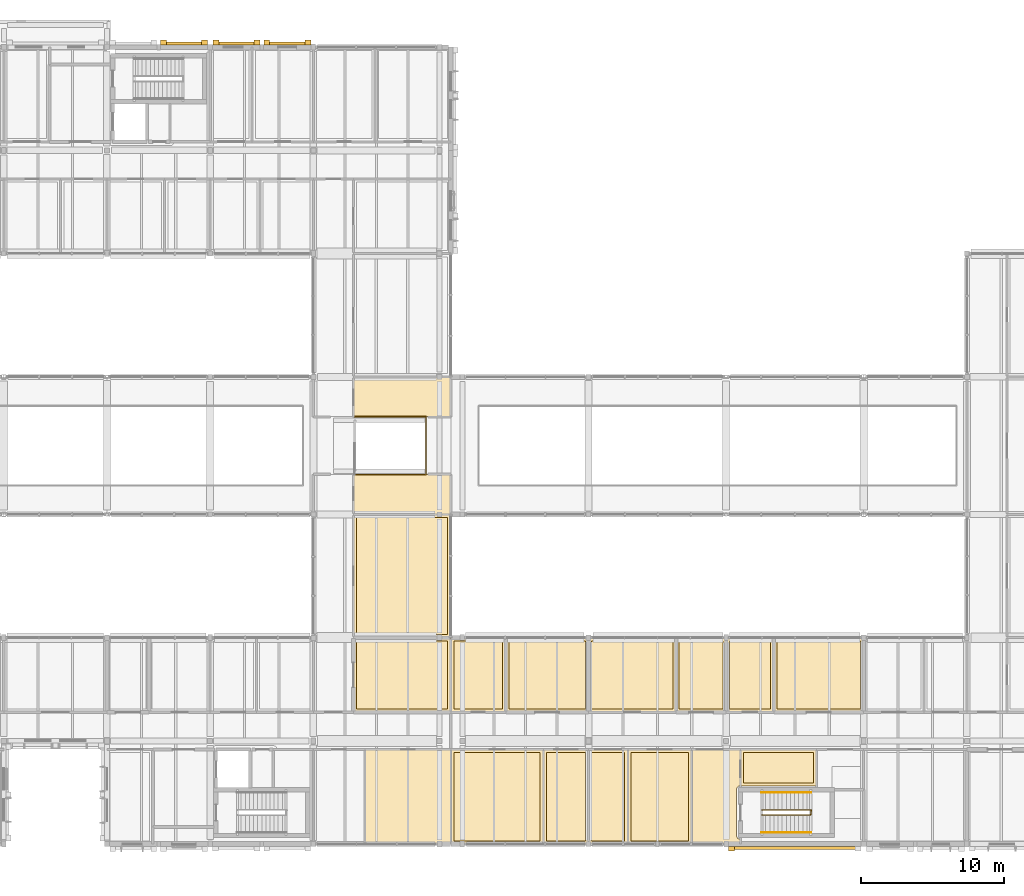
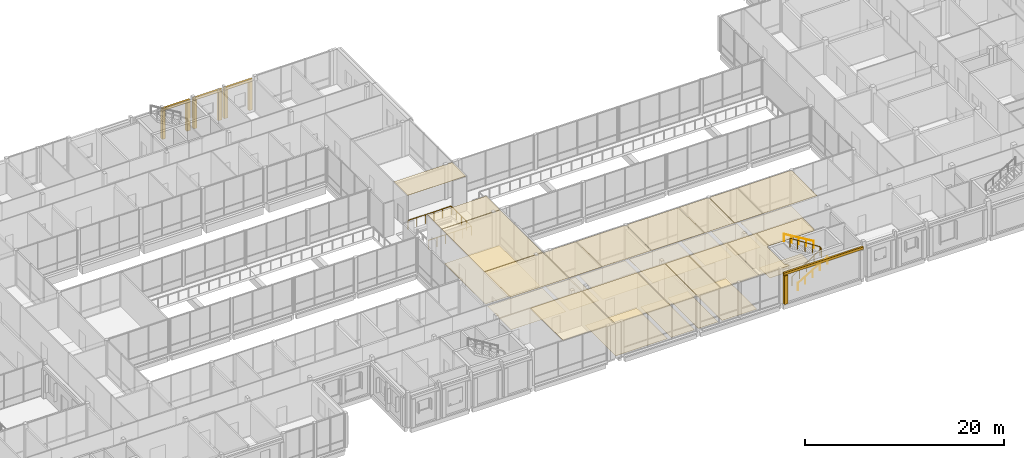
# One storey, part 137 of 146: 41 coverings, 4 railings.
"""IFC4 building model written with IfcOpenShell, lengths in metres."""

from ifc_helpers import new_model, si_unit, direction, frame, origin, origin_2d, place, context, subcontext, project, spatial, polyline, rectangle, circle, outline, extrude, material, layer, layer_set, type_object, element, save


model = new_model("IFC4")

# Units and contexts
model_context = context("Model", 3, precision=1e-05, world=origin(), true_north=direction((0.0, 1.0)))
body_context = subcontext(model_context, "Body", "Model", "MODEL_VIEW")
ifc_project = project(units=[si_unit("LENGTHUNIT", "METRE"), si_unit("AREAUNIT", "SQUARE_METRE"), si_unit("VOLUMEUNIT", "CUBIC_METRE"), si_unit("PLANEANGLEUNIT", "RADIAN"), si_unit("MASSUNIT", "GRAM", prefix="KILO")], contexts=[model_context])

# Site, building, storey
site_placement = place(None, origin())
site = spatial("IfcSite", under=ifc_project, at=site_placement, CompositionType="ELEMENT")
building_placement = place(site_placement, origin())
building = spatial("IfcBuilding", under=site, at=building_placement, Name="Hawrajan Terrace Health Centre", CompositionType="ELEMENT")
storey_placement = place(building_placement, frame((0.0, 0.0, 4.5)))
storey = spatial("IfcBuildingStorey", under=building, at=storey_placement, Name="L01", CompositionType="ELEMENT", Elevation=4.5)

# Coverings
ifc_material_1 = material(Name="Precast concrete C40/50", Category="concrete")
ifc_layer_1 = layer(ifc_material_1, 0.219970703125)
ifc_layer_set_1 = layer_set([ifc_layer_1], Name="Precast concrete C40/50")
covering_type_1 = type_object("IfcCoveringType", Name="ArtDecoCorniceBand", PredefinedType="CLADDING", material=ifc_layer_set_1)
for number, where, z_axis, x_axis, name in (
    (1, (53.169921875, 60.06005859375, 3.48974609375), (0.0, 0.0, 1.0), (1.0, 0.0, 0.0), "Art Deco limestone cornice band CRN-L01-0073"),
    (2, (56.830078125, 60.070068359375, 3.48974609375), (0.0, 0.0, 1.0), (1.0, 0.0, 0.0), "Art Deco limestone cornice band CRN-L01-0076"),
):
    element("IfcCovering", number, at=place(storey_placement, frame(where, z_axis=z_axis, x_axis=x_axis)), inside=storey, type_object=covering_type_1, Name=name, PredefinedType="CLADDING", context=body_context, shape_type="SweptSolid", body=[
        extrude(rectangle(XDim=3.260009765625, YDim=0.219970703125, at=origin_2d()), origin(), (0.0, 0.0, 1.0), 0.300048828125),
    ])
covering_1_placement = place(storey_placement, frame((60.3798828125, 60.070068359375, 3.48974609375), z_axis=(0.0, 0.0, 1.0), x_axis=(1.0, 0.0, 0.0)))
element("IfcCovering", 3, at=covering_1_placement, inside=storey, type_object=covering_type_1, Name="Art Deco limestone cornice band CRN-L01-0077", PredefinedType="CLADDING", context=body_context, shape_type="SweptSolid", body=[
    extrude(rectangle(XDim=3.280029296875, YDim=0.219970703125, at=origin_2d()), origin(), (0.0, 0.0, 1.0), 0.300048828125),
])
covering_2_placement = place(storey_placement, frame((95.7900390625, 3.93994140625, 3.48974609375), z_axis=(0.0, 0.0, 1.0), x_axis=(1.0, 0.0, 0.0)))
element("IfcCovering", 4, at=covering_2_placement, inside=storey, type_object=covering_type_1, Name="Art Deco limestone cornice band CRN-L01-0080", PredefinedType="CLADDING", context=body_context, shape_type="SweptSolid", body=[
    extrude(rectangle(XDim=9.219970703125, YDim=0.219970703125, at=origin_2d()), origin(), (0.0, 0.0, 1.0), 0.300048828125),
])
ifc_layer_2 = layer(ifc_material_1, 0.340087890625)
ifc_layer_set_2 = layer_set([ifc_layer_2], Name="Precast concrete C40/50")
covering_type_2 = type_object("IfcCoveringType", Name="ArtDecoStonePilaster", PredefinedType="CLADDING", material=ifc_layer_set_2)
for number, where, z_axis, x_axis, name in (
    (5, (51.739990234375, 60.1201171875, 0.0), (0.0, 0.0, 1.0), (1.0, 0.0, 0.0), "Art Deco fluted limestone pilaster FPIL-L01-0122"),
    (6, (54.60009765625, 60.1201171875, 0.0), (0.0, 0.0, 1.0), (1.0, 0.0, 0.0), "Art Deco fluted limestone pilaster FPIL-L01-0123"),
    (7, (55.39990234375, 60.1298828125, 0.0), (0.0, 0.0, 1.0), (1.0, 0.0, 0.0), "Art Deco fluted limestone pilaster FPIL-L01-0128"),
    (8, (58.260009765625, 60.1298828125, 0.0), (0.0, 0.0, 1.0), (1.0, 0.0, 0.0), "Art Deco fluted limestone pilaster FPIL-L01-0129"),
    (9, (58.93994140625, 60.1298828125, 0.0), (0.0, 0.0, 1.0), (1.0, 0.0, 0.0), "Art Deco fluted limestone pilaster FPIL-L01-0130"),
    (10, (61.820068359375, 60.1298828125, 0.0), (0.0, 0.0, 1.0), (1.0, 0.0, 0.0), "Art Deco fluted limestone pilaster FPIL-L01-0131"),
    (11, (91.3798828125, 3.8798828125, 0.0), (0.0, 0.0, 1.0), (1.0, 0.0, 0.0), "Art Deco fluted limestone pilaster FPIL-L01-0138"),
):
    element("IfcCovering", number, at=place(storey_placement, frame(where, z_axis=z_axis, x_axis=x_axis)), inside=storey, type_object=covering_type_2, Name=name, PredefinedType="CLADDING", context=body_context, shape_type="SweptSolid", body=[
        extrude(rectangle(XDim=0.39990234375, YDim=0.340087890625, at=origin_2d()), origin(), (0.0, 0.0, 1.0), 3.47998046875),
    ])
ifc_material_2 = material(Name="Acoustic linear cedar-slat suspended ceiling")
ifc_layer_3 = layer(ifc_material_2, 0.034912109375)
ifc_layer_set_3 = layer_set([ifc_layer_3], Name="Acoustic linear cedar-slat suspended ceiling")
covering_type_3 = type_object("IfcCoveringType", Name="CedarSlatHallCeiling_35", PredefinedType="CEILING", material=ifc_layer_set_3)
covering_3_placement = place(storey_placement, frame((0.0, 0.0, 4.14501953125)))
element("IfcCovering", 12, at=covering_3_placement, inside=storey, type_object=covering_type_3, Name="Suspended ceiling L01-069", PredefinedType="CEILING", context=body_context, shape_type="SweptSolid", body=[
    extrude(outline(polyline([(65.02001953125, 27.179931640625), (71.77490234375, 27.179931640625), (71.77490234375, 18.6201171875), (65.02001953125, 18.6201171875), (65.02001953125, 27.179931640625)])), origin(), (0.0, 0.0, 1.0), 0.034912109375),
])
covering_4_placement = place(storey_placement, frame((0.0, 0.0, 4.14501953125)))
element("IfcCovering", 13, at=covering_4_placement, inside=storey, type_object=covering_type_3, Name="Suspended ceiling L01-070", PredefinedType="CEILING", context=body_context, shape_type="SweptSolid", body=[
    extrude(outline(polyline([(65.02001953125, 29.97998046875), (71.77490234375, 29.97998046875), (71.77490234375, 27.219970703125), (65.02001953125, 27.219970703125), (65.02001953125, 29.97998046875)])), origin(), (0.0, 0.0, 1.0), 0.034912109375),
])
covering_5_placement = place(storey_placement, frame((0.0, 0.0, 4.14501953125)))
element("IfcCovering", 14, at=covering_5_placement, inside=storey, type_object=covering_type_3, Name="Suspended ceiling L01-071", PredefinedType="CEILING", context=body_context, shape_type="SweptSolid", body=[
    extrude(outline(polyline([(65.02001953125, 36.780029296875), (71.77490234375, 36.780029296875), (71.77490234375, 34.02001953125), (65.02001953125, 34.02001953125), (65.02001953125, 36.780029296875)])), origin(), (0.0, 0.0, 1.0), 0.034912109375),
])
ifc_material_3 = material(Name="Hygienic mineral-fibre acoustic tile ceiling")
ifc_layer_4 = layer(ifc_material_3, 0.02490234375)
ifc_layer_set_4 = layer_set([ifc_layer_4], Name="Hygienic mineral-fibre acoustic tile ceiling")
covering_type_4 = type_object("IfcCoveringType", Name="ClinicalAcousticCeiling_25", PredefinedType="CEILING", material=ifc_layer_set_4)
covering_6_placement = place(storey_placement, frame((0.0, 0.0, 4.155029296875)))
element("IfcCovering", 15, at=covering_6_placement, inside=storey, type_object=covering_type_4, Name="Suspended ceiling L01-031", PredefinedType="CEILING", context=body_context, shape_type="SweptSolid", body=[
    extrude(outline(polyline([(91.97998046875, 4.219970703125), (88.6201171875, 4.219970703125), (88.6201171875, 10.780029296875), (91.97998046875, 10.780029296875), (91.97998046875, 8.26904296875), (91.974609375, 8.268798828125), (91.97265625, 8.2685546875), (91.9482421875, 8.264892578125), (91.9462890625, 8.2646484375), (91.922607421875, 8.258544921875), (91.920654296875, 8.258056640625), (91.897705078125, 8.249755859375), (91.895751953125, 8.2490234375), (91.87353515625, 8.238525390625), (91.871826171875, 8.237548828125), (91.850830078125, 8.22509765625), (91.84912109375, 8.223876953125), (91.82958984375, 8.209228515625), (91.827880859375, 8.2080078125), (91.809814453125, 8.191650390625), (91.808349609375, 8.190185546875), (91.7919921875, 8.172119140625), (91.790771484375, 8.17041015625), (91.776123046875, 8.15087890625), (91.77490234375, 8.149169921875), (91.762451171875, 8.128173828125), (91.761474609375, 8.12646484375), (91.7509765625, 8.104248046875), (91.750244140625, 8.102294921875), (91.741943359375, 8.079345703125), (91.741455078125, 8.077392578125), (91.7353515625, 8.0537109375), (91.735107421875, 8.0517578125), (91.7314453125, 8.02734375), (91.731201171875, 8.025390625), (91.72998046875, 8.0009765625), (91.72998046875, 8.0), (91.72998046875, 4.800048828125), (91.72998046875, 4.799072265625), (91.731201171875, 4.7744140625), (91.7314453125, 4.772705078125), (91.735107421875, 4.748291015625), (91.7353515625, 4.746337890625), (91.741455078125, 4.72265625), (91.741943359375, 4.720703125), (91.750244140625, 4.697509765625), (91.7509765625, 4.69580078125), (91.761474609375, 4.673583984375), (91.762451171875, 4.671875), (91.77490234375, 4.65087890625), (91.776123046875, 4.649169921875), (91.790771484375, 4.62939453125), (91.7919921875, 4.6279296875), (91.808349609375, 4.60986328125), (91.809814453125, 4.6083984375), (91.827880859375, 4.591796875), (91.82958984375, 4.5908203125), (91.84912109375, 4.576171875), (91.850830078125, 4.574951171875), (91.871826171875, 4.5625), (91.87353515625, 4.561279296875), (91.895751953125, 4.551025390625), (91.897705078125, 4.55029296875), (91.920654296875, 4.5419921875), (91.922607421875, 4.54150390625), (91.9462890625, 4.535400390625), (91.9482421875, 4.534912109375), (91.97265625, 4.531494140625), (91.974609375, 4.53125), (91.97998046875, 4.531005859375), (91.97998046875, 4.219970703125)])), origin(), (0.0, 0.0, 1.0), 0.02490234375),
])
covering_7_placement = place(storey_placement, frame((0.0, 0.0, 4.155029296875)))
element("IfcCovering", 16, at=covering_7_placement, inside=storey, type_object=covering_type_4, Name="Suspended ceiling L01-063", PredefinedType="CEILING", context=body_context, shape_type="SweptSolid", body=[
    extrude(outline(polyline([(65.820068359375, 10.780029296875), (71.77490234375, 10.780029296875), (71.77490234375, 4.219970703125), (65.820068359375, 4.219970703125), (65.820068359375, 10.780029296875)])), origin(), (0.0, 0.0, 1.0), 0.02490234375),
])
covering_8_placement = place(storey_placement, frame((0.0, 0.0, 4.155029296875)))
element("IfcCovering", 17, at=covering_8_placement, inside=storey, type_object=covering_type_4, Name="Suspended ceiling L01-110", PredefinedType="CEILING", context=body_context, shape_type="SweptSolid", body=[
    extrude(outline(polyline([(65.02001953125, 18.580078125), (71.77490234375, 18.580078125), (71.77490234375, 13.419921875), (65.02001953125, 13.419921875), (65.02001953125, 18.580078125)])), origin(), (0.0, 0.0, 1.0), 0.02490234375),
])
covering_9_placement = place(storey_placement, frame((0.0, 0.0, 4.155029296875)))
element("IfcCovering", 18, at=covering_9_placement, inside=storey, type_object=covering_type_4, Name="Suspended ceiling L01-111", PredefinedType="CEILING", context=body_context, shape_type="SweptSolid", body=[
    extrude(outline(polyline([(71.824951171875, 10.780029296875), (78.22314453125, 10.780029296875), (78.22314453125, 4.219970703125), (71.824951171875, 4.219970703125), (71.824951171875, 10.780029296875)])), origin(), (0.0, 0.0, 1.0), 0.02490234375),
])
covering_10_placement = place(storey_placement, frame((0.0, 0.0, 4.155029296875)))
element("IfcCovering", 19, at=covering_10_placement, inside=storey, type_object=covering_type_4, Name="Suspended ceiling L01-112", PredefinedType="CEILING", context=body_context, shape_type="SweptSolid", body=[
    extrude(outline(polyline([(78.26318359375, 10.780029296875), (81.3798828125, 10.780029296875), (81.3798828125, 4.219970703125), (78.26318359375, 4.219970703125), (78.26318359375, 10.780029296875)])), origin(), (0.0, 0.0, 1.0), 0.02490234375),
])
covering_11_placement = place(storey_placement, frame((0.0, 0.0, 4.155029296875)))
element("IfcCovering", 20, at=covering_11_placement, inside=storey, type_object=covering_type_4, Name="Suspended ceiling L01-113", PredefinedType="CEILING", context=body_context, shape_type="SweptSolid", body=[
    extrude(outline(polyline([(71.824951171875, 18.580078125), (75.603759765625, 18.580078125), (75.603759765625, 13.419921875), (71.824951171875, 13.419921875), (71.824951171875, 18.580078125)])), origin(), (0.0, 0.0, 1.0), 0.02490234375),
])
covering_12_placement = place(storey_placement, frame((0.0, 0.0, 4.155029296875)))
element("IfcCovering", 21, at=covering_12_placement, inside=storey, type_object=covering_type_4, Name="Suspended ceiling L01-114", PredefinedType="CEILING", context=body_context, shape_type="SweptSolid", body=[
    extrude(outline(polyline([(75.643798828125, 18.580078125), (81.3798828125, 18.580078125), (81.3798828125, 13.419921875), (75.643798828125, 13.419921875), (75.643798828125, 18.580078125)])), origin(), (0.0, 0.0, 1.0), 0.02490234375),
])
covering_13_placement = place(storey_placement, frame((0.0, 0.0, 4.155029296875)))
element("IfcCovering", 22, at=covering_13_placement, inside=storey, type_object=covering_type_4, Name="Suspended ceiling L01-115", PredefinedType="CEILING", context=body_context, shape_type="SweptSolid", body=[
    extrude(outline(polyline([(81.419921875, 10.780029296875), (84.123291015625, 10.780029296875), (84.123291015625, 4.219970703125), (81.419921875, 4.219970703125), (81.419921875, 10.780029296875)])), origin(), (0.0, 0.0, 1.0), 0.02490234375),
])
covering_14_placement = place(storey_placement, frame((0.0, 0.0, 4.155029296875)))
element("IfcCovering", 23, at=covering_14_placement, inside=storey, type_object=covering_type_4, Name="Suspended ceiling L01-116", PredefinedType="CEILING", context=body_context, shape_type="SweptSolid", body=[
    extrude(outline(polyline([(84.1630859375, 10.780029296875), (88.580078125, 10.780029296875), (88.580078125, 4.219970703125), (84.1630859375, 4.219970703125), (84.1630859375, 10.780029296875)])), origin(), (0.0, 0.0, 1.0), 0.02490234375),
])
covering_15_placement = place(storey_placement, frame((0.0, 0.0, 4.155029296875)))
element("IfcCovering", 24, at=covering_15_placement, inside=storey, type_object=covering_type_4, Name="Suspended ceiling L01-117", PredefinedType="CEILING", context=body_context, shape_type="SweptSolid", body=[
    extrude(outline(polyline([(81.419921875, 18.580078125), (87.485595703125, 18.580078125), (87.485595703125, 13.419921875), (81.419921875, 13.419921875), (81.419921875, 18.580078125)])), origin(), (0.0, 0.0, 1.0), 0.02490234375),
])
covering_16_placement = place(storey_placement, frame((0.0, 0.0, 4.155029296875)))
element("IfcCovering", 25, at=covering_16_placement, inside=storey, type_object=covering_type_4, Name="Suspended ceiling L01-118", PredefinedType="CEILING", context=body_context, shape_type="SweptSolid", body=[
    extrude(outline(polyline([(87.525634765625, 18.580078125), (90.97998046875, 18.580078125), (90.97998046875, 13.419921875), (87.525634765625, 13.419921875), (87.525634765625, 18.580078125)])), origin(), (0.0, 0.0, 1.0), 0.02490234375),
])
covering_17_placement = place(storey_placement, frame((0.0, 0.0, 4.155029296875)))
element("IfcCovering", 26, at=covering_17_placement, inside=storey, type_object=covering_type_4, Name="Suspended ceiling L01-119", PredefinedType="CEILING", context=body_context, shape_type="SweptSolid", body=[
    extrude(outline(polyline([(92.02001953125, 10.780029296875), (97.303466796875, 10.780029296875), (97.303466796875, 8.27001953125), (92.02001953125, 8.27001953125), (92.02001953125, 10.780029296875)])), origin(), (0.0, 0.0, 1.0), 0.02490234375),
])
covering_18_placement = place(storey_placement, frame((0.0, 0.0, 4.155029296875)))
element("IfcCovering", 27, at=covering_18_placement, inside=storey, type_object=covering_type_4, Name="Suspended ceiling L01-121", PredefinedType="CEILING", context=body_context, shape_type="SweptSolid", body=[
    extrude(outline(polyline([(91.02001953125, 18.580078125), (94.311279296875, 18.580078125), (94.311279296875, 13.419921875), (91.02001953125, 13.419921875), (91.02001953125, 18.580078125)])), origin(), (0.0, 0.0, 1.0), 0.02490234375),
])
covering_19_placement = place(storey_placement, frame((0.0, 0.0, 4.155029296875)))
element("IfcCovering", 28, at=covering_19_placement, inside=storey, type_object=covering_type_4, Name="Suspended ceiling L01-122", PredefinedType="CEILING", context=body_context, shape_type="SweptSolid", body=[
    extrude(outline(polyline([(94.351318359375, 18.580078125), (100.580078125, 18.580078125), (100.580078125, 13.419921875), (94.351318359375, 13.419921875), (94.351318359375, 18.580078125)])), origin(), (0.0, 0.0, 1.0), 0.02490234375),
])
ifc_material_4 = material(Name="Seamless medical-grade cushioned vinyl flooring")
ifc_layer_5 = layer(ifc_material_4, 0.011962890625)
ifc_layer_set_5 = layer_set([ifc_layer_5], Name="Seamless medical-grade cushioned vinyl flooring")
covering_type_5 = type_object("IfcCoveringType", Name="ClinicalVinylFlooring_12", PredefinedType="FLOORING", material=ifc_layer_set_5)
covering_20_placement = place(storey_placement, origin())
element("IfcCovering", 29, at=covering_20_placement, inside=storey, type_object=covering_type_5, Name="Floor finish L01-110", PredefinedType="FLOORING", context=body_context, shape_type="SweptSolid", body=[
    extrude(outline(polyline([(65.219970703125, 18.3798828125), (71.574951171875, 18.3798828125), (71.574951171875, 13.6201171875), (65.219970703125, 13.6201171875), (65.219970703125, 18.3798828125)])), origin(), (0.0, 0.0, 1.0), 0.011962890625),
])
covering_21_placement = place(storey_placement, origin())
element("IfcCovering", 30, at=covering_21_placement, inside=storey, type_object=covering_type_5, Name="Floor finish L01-111", PredefinedType="FLOORING", context=body_context, shape_type="SweptSolid", body=[
    extrude(outline(polyline([(72.02490234375, 10.580078125), (78.023193359375, 10.580078125), (78.023193359375, 4.419921875), (72.02490234375, 4.419921875), (72.02490234375, 10.580078125)])), origin(), (0.0, 0.0, 1.0), 0.011962890625),
])
covering_22_placement = place(storey_placement, origin())
element("IfcCovering", 31, at=covering_22_placement, inside=storey, type_object=covering_type_5, Name="Floor finish L01-112", PredefinedType="FLOORING", context=body_context, shape_type="SweptSolid", body=[
    extrude(outline(polyline([(78.463134765625, 10.580078125), (81.179931640625, 10.580078125), (81.179931640625, 4.419921875), (78.463134765625, 4.419921875), (78.463134765625, 10.580078125)])), origin(), (0.0, 0.0, 1.0), 0.011962890625),
])
covering_23_placement = place(storey_placement, origin())
element("IfcCovering", 32, at=covering_23_placement, inside=storey, type_object=covering_type_5, Name="Floor finish L01-113", PredefinedType="FLOORING", context=body_context, shape_type="SweptSolid", body=[
    extrude(outline(polyline([(72.02490234375, 18.3798828125), (75.40380859375, 18.3798828125), (75.40380859375, 13.6201171875), (72.02490234375, 13.6201171875), (72.02490234375, 18.3798828125)])), origin(), (0.0, 0.0, 1.0), 0.011962890625),
])
covering_24_placement = place(storey_placement, origin())
element("IfcCovering", 33, at=covering_24_placement, inside=storey, type_object=covering_type_5, Name="Floor finish L01-114", PredefinedType="FLOORING", context=body_context, shape_type="SweptSolid", body=[
    extrude(outline(polyline([(75.84375, 18.3798828125), (81.179931640625, 18.3798828125), (81.179931640625, 13.6201171875), (75.84375, 13.6201171875), (75.84375, 18.3798828125)])), origin(), (0.0, 0.0, 1.0), 0.011962890625),
])
covering_25_placement = place(storey_placement, origin())
element("IfcCovering", 34, at=covering_25_placement, inside=storey, type_object=covering_type_5, Name="Floor finish L01-115", PredefinedType="FLOORING", context=body_context, shape_type="SweptSolid", body=[
    extrude(outline(polyline([(81.6201171875, 10.580078125), (83.923095703125, 10.580078125), (83.923095703125, 4.419921875), (81.6201171875, 4.419921875), (81.6201171875, 10.580078125)])), origin(), (0.0, 0.0, 1.0), 0.011962890625),
])
covering_26_placement = place(storey_placement, origin())
element("IfcCovering", 35, at=covering_26_placement, inside=storey, type_object=covering_type_5, Name="Floor finish L01-116", PredefinedType="FLOORING", context=body_context, shape_type="SweptSolid", body=[
    extrude(outline(polyline([(84.36328125, 10.580078125), (88.3798828125, 10.580078125), (88.3798828125, 4.419921875), (84.36328125, 4.419921875), (84.36328125, 10.580078125)])), origin(), (0.0, 0.0, 1.0), 0.011962890625),
])
covering_27_placement = place(storey_placement, origin())
element("IfcCovering", 36, at=covering_27_placement, inside=storey, type_object=covering_type_5, Name="Floor finish L01-117", PredefinedType="FLOORING", context=body_context, shape_type="SweptSolid", body=[
    extrude(outline(polyline([(81.6201171875, 18.3798828125), (87.28564453125, 18.3798828125), (87.28564453125, 13.6201171875), (81.6201171875, 13.6201171875), (81.6201171875, 18.3798828125)])), origin(), (0.0, 0.0, 1.0), 0.011962890625),
])
covering_28_placement = place(storey_placement, origin())
element("IfcCovering", 37, at=covering_28_placement, inside=storey, type_object=covering_type_5, Name="Floor finish L01-118", PredefinedType="FLOORING", context=body_context, shape_type="SweptSolid", body=[
    extrude(outline(polyline([(87.7255859375, 18.3798828125), (90.780029296875, 18.3798828125), (90.780029296875, 13.6201171875), (87.7255859375, 13.6201171875), (87.7255859375, 18.3798828125)])), origin(), (0.0, 0.0, 1.0), 0.011962890625),
])
covering_29_placement = place(storey_placement, origin())
element("IfcCovering", 38, at=covering_29_placement, inside=storey, type_object=covering_type_5, Name="Floor finish L01-119", PredefinedType="FLOORING", context=body_context, shape_type="SweptSolid", body=[
    extrude(outline(polyline([(92.219970703125, 10.580078125), (97.103515625, 10.580078125), (97.103515625, 8.469970703125), (92.219970703125, 8.469970703125), (92.219970703125, 10.580078125)])), origin(), (0.0, 0.0, 1.0), 0.011962890625),
])
covering_30_placement = place(storey_placement, origin())
element("IfcCovering", 39, at=covering_30_placement, inside=storey, type_object=covering_type_5, Name="Floor finish L01-121", PredefinedType="FLOORING", context=body_context, shape_type="SweptSolid", body=[
    extrude(outline(polyline([(91.219970703125, 18.3798828125), (94.111083984375, 18.3798828125), (94.111083984375, 13.6201171875), (91.219970703125, 13.6201171875), (91.219970703125, 18.3798828125)])), origin(), (0.0, 0.0, 1.0), 0.011962890625),
])
covering_31_placement = place(storey_placement, origin())
element("IfcCovering", 40, at=covering_31_placement, inside=storey, type_object=covering_type_5, Name="Floor finish L01-122", PredefinedType="FLOORING", context=body_context, shape_type="SweptSolid", body=[
    extrude(outline(polyline([(94.55126953125, 18.3798828125), (100.3798828125, 18.3798828125), (100.3798828125, 13.6201171875), (94.55126953125, 13.6201171875), (94.55126953125, 18.3798828125)])), origin(), (0.0, 0.0, 1.0), 0.011962890625),
])

# Railings
ifc_material_5 = material(Name="Brushed stainless steel tubular handrail", Category="steel")
railing_type_1 = type_object("IfcRailingType", Name="StairHandrail_900", PredefinedType="HANDRAIL", material=ifc_material_5)
railing_1_placement = place(storey_placement, frame((93.47509765625, 5.0, 0.173095703125)))
element("IfcRailing", 41, at=railing_1_placement, inside=storey, type_object=railing_type_1, Name="Stair handrail ST-5-L01-H1", PredefinedType="HANDRAIL", context=body_context, shape_type="SweptSolid", body=[
    extrude(circle(Radius=0.02392578125, at=origin_2d()), frame((0.024658203125, 0.0, 0.890625), z_axis=(0.856732359591, 0.0, 0.515761247119), x_axis=(0.0, 1.0, 0.0)), (0.0, 0.0, 1.0), 3.96923828125),
    extrude(circle(Radius=0.02099609375, at=origin_2d()), origin(), (0.0, 0.0, 1.0), 0.846923828125),
    extrude(circle(Radius=0.02099609375, at=origin_2d()), frame((0.862548828125, 0.0, 0.519287109375)), (0.0, 0.0, 1.0), 0.846923828125),
    extrude(circle(Radius=0.02099609375, at=origin_2d()), frame((1.72509765625, 0.0, 1.03857421875)), (0.0, 0.0, 1.0), 0.846923828125),
    extrude(circle(Radius=0.02099609375, at=origin_2d()), frame((2.58740234375, 0.0, 1.5576171875)), (0.0, 0.0, 1.0), 0.846923828125),
    extrude(circle(Radius=0.02099609375, at=origin_2d()), frame((3.449951171875, 0.0, 2.076904296875)), (0.0, 0.0, 1.0), 0.846923828125),
])
railing_2_placement = place(storey_placement, frame((96.925048828125, 7.800048828125, 2.423095703125)))
element("IfcRailing", 42, at=railing_2_placement, inside=storey, type_object=railing_type_1, Name="Stair handrail ST-5-L01-H2", PredefinedType="HANDRAIL", context=body_context, shape_type="SweptSolid", body=[
    extrude(circle(Radius=0.02392578125, at=origin_2d()), frame((-0.024658203125, 0.0, 0.890625), z_axis=(-0.856732359591, 0.0, 0.515761247119), x_axis=(0.0, -1.0, 0.0)), (0.0, 0.0, 1.0), 3.96923828125),
    extrude(circle(Radius=0.02099609375, at=origin_2d()), origin(), (0.0, 0.0, 1.0), 0.846923828125),
    extrude(circle(Radius=0.02099609375, at=origin_2d()), frame((-0.862548828125, 0.0, 0.519287109375)), (0.0, 0.0, 1.0), 0.846923828125),
    extrude(circle(Radius=0.02099609375, at=origin_2d()), frame((-1.72509765625, 0.0, 1.03857421875)), (0.0, 0.0, 1.0), 0.846923828125),
    extrude(circle(Radius=0.02099609375, at=origin_2d()), frame((-2.58740234375, 0.0, 1.5576171875)), (0.0, 0.0, 1.0), 0.846923828125),
    extrude(circle(Radius=0.02099609375, at=origin_2d()), frame((-3.449951171875, 0.0, 2.076904296875)), (0.0, 0.0, 1.0), 0.846923828125),
])
ifc_material_6 = material(Name="Painted steel stair well guard", Category="steel")
railing_type_2 = type_object("IfcRailingType", Name="StairWellGuard_1120", PredefinedType="GUARDRAIL", material=ifc_material_6)
railing_3_placement = place(storey_placement, frame((93.5, 6.219970703125, 0.0)))
element("IfcRailing", 43, at=railing_3_placement, inside=storey, type_object=railing_type_2, Name="Stair well guard ST-5-L01-G1", PredefinedType="GUARDRAIL", context=body_context, shape_type="SweptSolid", body=[
    extrude(circle(Radius=0.02392578125, at=origin_2d()), frame((0.024169921875, 0.0, 1.112060546875), z_axis=(0.833924910587, 0.0, 0.551877924456), x_axis=(0.0, 1.0, 0.0)), (0.0, 0.0, 1.0), 4.019287109375),
    extrude(circle(Radius=0.02392578125, at=origin_2d()), frame((3.40380859375, 0.028564453125, 3.34619140625), z_axis=(0.137659871128, 0.990479560557, 0.0), x_axis=(-0.990479560557, 0.137659871128, 0.0)), (0.0, 0.0, 1.0), 0.305908203125),
    extrude(circle(Radius=0.02392578125, at=origin_2d()), frame((3.42578125, 0.360107421875, 3.36181640625), z_axis=(-0.837607059222, 0.0, 0.546273204854), x_axis=(0.0, -1.0, 0.0)), (0.0, 0.0, 1.0), 4.06103515625),
    extrude(circle(Radius=0.02099609375, at=origin_2d()), origin(), (0.0, 0.0, 1.0), 1.067138671875),
    extrude(circle(Radius=0.02099609375, at=origin_2d()), frame((0.85009765625, 0.0, 0.5625)), (0.0, 0.0, 1.0), 1.067138671875),
    extrude(circle(Radius=0.02099609375, at=origin_2d()), frame((1.699951171875, 0.0, 1.125)), (0.0, 0.0, 1.0), 1.067138671875),
    extrude(circle(Radius=0.02099609375, at=origin_2d()), frame((2.5498046875, 0.0, 1.6875)), (0.0, 0.0, 1.0), 1.067138671875),
    extrude(circle(Radius=0.02099609375, at=origin_2d()), frame((3.39990234375, 0.0, 2.25)), (0.0, 0.0, 1.0), 1.067138671875),
    extrude(circle(Radius=0.02099609375, at=origin_2d()), frame((3.449951171875, 0.360107421875, 2.25)), (0.0, 0.0, 1.0), 1.067138671875),
    extrude(circle(Radius=0.02099609375, at=origin_2d()), frame((2.58740234375, 0.360107421875, 2.8125)), (0.0, 0.0, 1.0), 1.067138671875),
    extrude(circle(Radius=0.02099609375, at=origin_2d()), frame((1.72509765625, 0.360107421875, 3.375)), (0.0, 0.0, 1.0), 1.067138671875),
    extrude(circle(Radius=0.02099609375, at=origin_2d()), frame((0.862548828125, 0.360107421875, 3.9375)), (0.0, 0.0, 1.0), 1.067138671875),
    extrude(circle(Radius=0.02099609375, at=origin_2d()), frame((0.0, 0.360107421875, 4.5)), (0.0, 0.0, 1.0), 1.067138671875),
])
railing_4_placement = place(storey_placement, frame((65.06005859375, 29.97998046875, 0.0)))
element("IfcRailing", 44, at=railing_4_placement, inside=storey, type_object=railing_type_2, Name="Stair top well guard ST-10", PredefinedType="GUARDRAIL", context=body_context, shape_type="SweptSolid", body=[
    extrude(circle(Radius=0.02392578125, at=origin_2d()), frame((0.02880859375, 0.0, 1.09619140625), z_axis=(1.0, 0.0, 0.0), x_axis=(0.0, 1.0, 0.0)), (0.0, 0.0, 1.0), 4.9423828125),
    extrude(circle(Radius=0.02392578125, at=origin_2d()), frame((5.0, 0.02880859375, 1.09619140625), z_axis=(0.0, 1.0, 0.0), x_axis=(-1.0, 0.0, 0.0)), (0.0, 0.0, 1.0), 3.982421875),
    extrude(circle(Radius=0.02392578125, at=origin_2d()), frame((4.97119140625, 4.0400390625, 1.09619140625), z_axis=(-1.0, 0.0, 0.0), x_axis=(0.0, -1.0, 0.0)), (0.0, 0.0, 1.0), 4.9423828125),
    extrude(circle(Radius=0.02099609375, at=origin_2d()), origin(), (0.0, 0.0, 1.0), 1.067138671875),
    extrude(circle(Radius=0.02099609375, at=origin_2d()), frame((1.0, 0.0, 0.0)), (0.0, 0.0, 1.0), 1.067138671875),
    extrude(circle(Radius=0.02099609375, at=origin_2d()), frame((2.0, 0.0, 0.0)), (0.0, 0.0, 1.0), 1.067138671875),
    extrude(circle(Radius=0.02099609375, at=origin_2d()), frame((3.0, 0.0, 0.0)), (0.0, 0.0, 1.0), 1.067138671875),
    extrude(circle(Radius=0.02099609375, at=origin_2d()), frame((4.0, 0.0, 0.0)), (0.0, 0.0, 1.0), 1.067138671875),
    extrude(circle(Radius=0.02099609375, at=origin_2d()), frame((5.0, 0.0, 0.0)), (0.0, 0.0, 1.0), 1.067138671875),
    extrude(circle(Radius=0.02099609375, at=origin_2d()), frame((5.0, 1.010009765625, 0.0)), (0.0, 0.0, 1.0), 1.067138671875),
    extrude(circle(Radius=0.02099609375, at=origin_2d()), frame((5.0, 2.02001953125, 0.0)), (0.0, 0.0, 1.0), 1.067138671875),
    extrude(circle(Radius=0.02099609375, at=origin_2d()), frame((5.0, 3.030029296875, 0.0)), (0.0, 0.0, 1.0), 1.067138671875),
    extrude(circle(Radius=0.02099609375, at=origin_2d()), frame((5.0, 4.0400390625, 0.0)), (0.0, 0.0, 1.0), 1.067138671875),
    extrude(circle(Radius=0.02099609375, at=origin_2d()), frame((4.0, 4.0400390625, 0.0)), (0.0, 0.0, 1.0), 1.067138671875),
    extrude(circle(Radius=0.02099609375, at=origin_2d()), frame((3.0, 4.0400390625, 0.0)), (0.0, 0.0, 1.0), 1.067138671875),
    extrude(circle(Radius=0.02099609375, at=origin_2d()), frame((2.0, 4.0400390625, 0.0)), (0.0, 0.0, 1.0), 1.067138671875),
    extrude(circle(Radius=0.02099609375, at=origin_2d()), frame((1.0, 4.0400390625, 0.0)), (0.0, 0.0, 1.0), 1.067138671875),
    extrude(circle(Radius=0.02099609375, at=origin_2d()), frame((0.0, 4.0400390625, 0.0)), (0.0, 0.0, 1.0), 1.067138671875),
])

# Covering
ifc_material_7 = material(Name="Polished coral-aggregate terrazzo flooring")
ifc_layer_6 = layer(ifc_material_7, 0.02001953125)
ifc_layer_set_6 = layer_set([ifc_layer_6], Name="Polished coral-aggregate terrazzo flooring")
covering_type_6 = type_object("IfcCoveringType", Name="TerrazzoHallFlooring_20", PredefinedType="FLOORING", material=ifc_layer_set_6)
covering_32_placement = place(storey_placement, origin())
element("IfcCovering", 45, at=covering_32_placement, inside=storey, type_object=covering_type_6, Name="Floor finish L01-069", PredefinedType="FLOORING", context=body_context, shape_type="SweptSolid", body=[
    extrude(outline(polyline([(65.219970703125, 26.97998046875), (71.574951171875, 26.97998046875), (71.574951171875, 18.820068359375), (65.219970703125, 18.820068359375), (65.219970703125, 26.97998046875)])), origin(), (0.0, 0.0, 1.0), 0.02001953125),
])

save(model, "model.ifc")
